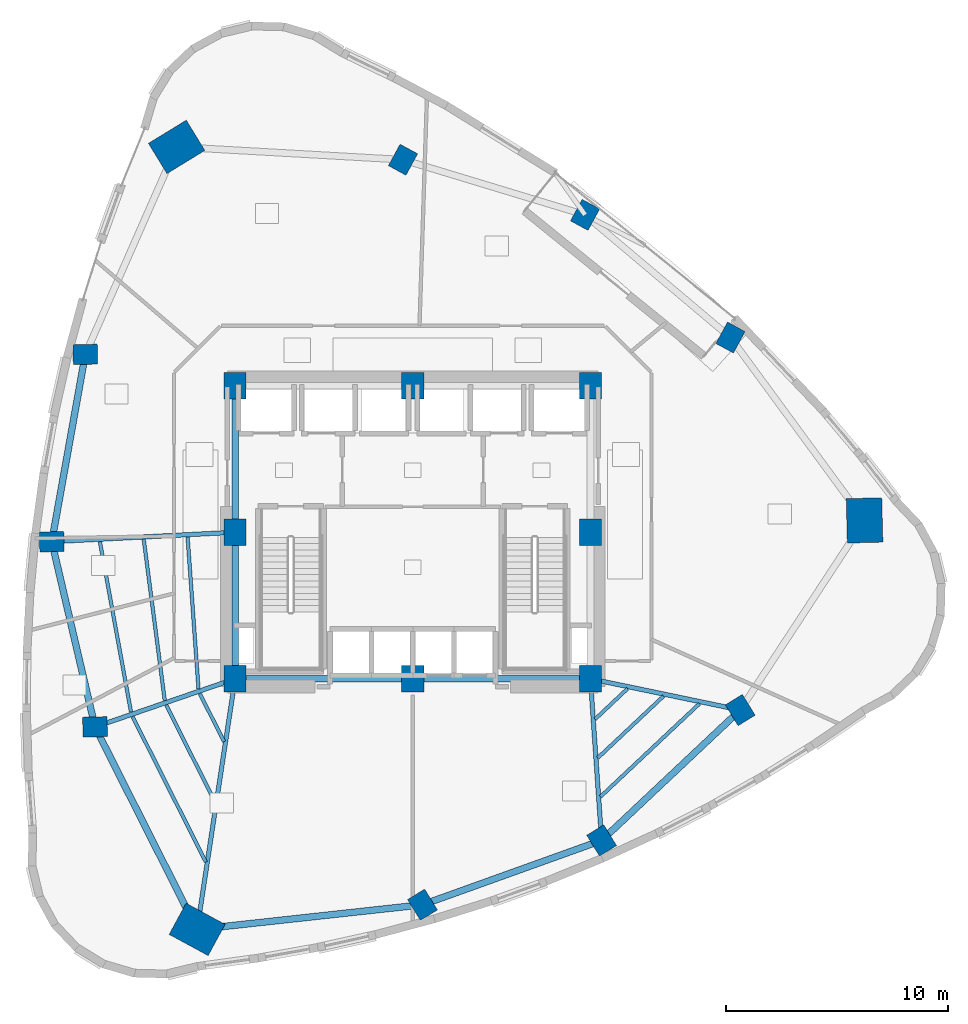
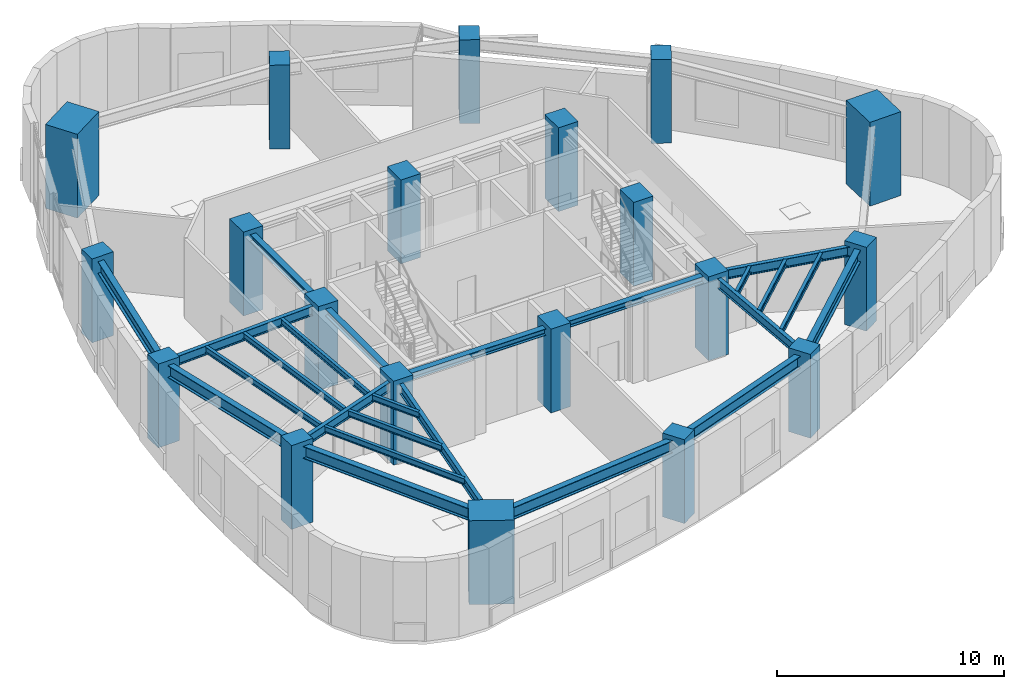
# One storey, part 1 of 16: 24 beams, 20 columns.
"""IFC4 building model written with IfcOpenShell, lengths in metres."""

from ifc_helpers import new_model, si_unit, direction, frame, origin, origin_2d, place, context, subcontext, project, spatial, rectangle, i_section, extrude, material, material_profile, profile_set, type_object, element, save


model = new_model("IFC4")

# Units and contexts
model_context = context("Model", 3, precision=1e-05, world=origin(), true_north=direction((0.0, 1.0)))
body_context = subcontext(model_context, "Body", "Model", "MODEL_VIEW")
ifc_project = project(units=[si_unit("LENGTHUNIT", "METRE"), si_unit("AREAUNIT", "SQUARE_METRE"), si_unit("VOLUMEUNIT", "CUBIC_METRE"), si_unit("PLANEANGLEUNIT", "RADIAN"), si_unit("MASSUNIT", "GRAM", prefix="KILO")], contexts=[model_context])

# Site, building, storey
site_placement = place(None, origin())
site = spatial("IfcSite", under=ifc_project, at=site_placement, CompositionType="ELEMENT")
building_placement = place(site_placement, origin())
building = spatial("IfcBuilding", under=site, at=building_placement, Name="Ndelora Gate Hotel", CompositionType="ELEMENT")
storey_placement = place(building_placement, frame((0.0, 0.0, 92.75)))
storey = spatial("IfcBuildingStorey", under=building, at=storey_placement, Name="L22", CompositionType="ELEMENT", Elevation=92.75)

# Columns
ifc_material_1 = material(Name="Concrete C60/75", Category="concrete")
ifc_material_profile_1 = material_profile(ifc_material_1, rectangle(XDim=1.0, YDim=1.199951171875, at=origin_2d()), Name="RC 1200x1000")
ifc_profile_set_1 = profile_set([ifc_material_profile_1], Name="Concrete C60/75")
column_type_1 = type_object("IfcColumnType", Name="COL-CC-MID", PredefinedType="COLUMN", material=ifc_profile_set_1)
for number, where, z_axis, x_axis, name in (
    (1, (-8.0, -6.60009765625, 0.0), (0.0, 0.0, 1.0), (1.0, 0.0, 0.0), "L22 Core Column CC1"),
    (2, (0.0, -6.60009765625, 0.0), (0.0, 0.0, 1.0), (1.0, 0.0, 0.0), "L22 Core Column CC2"),
    (3, (8.0, -6.60009765625, 0.0), (0.0, 0.0, 1.0), (1.0, 0.0, 0.0), "L22 Core Column CC3"),
    (4, (8.0, 0.0, 0.0), (0.0, 0.0, 1.0), (1.0, 0.0, 0.0), "L22 Core Column CC4"),
    (5, (8.0, 6.60009765625, 0.0), (0.0, 0.0, 1.0), (1.0, 0.0, 0.0), "L22 Core Column CC5"),
    (6, (0.0, 6.60009765625, 0.0), (0.0, 0.0, 1.0), (1.0, 0.0, 0.0), "L22 Core Column CC6"),
    (7, (-8.0, 6.60009765625, 0.0), (0.0, 0.0, 1.0), (1.0, 0.0, 0.0), "L22 Core Column CC7"),
    (8, (-8.0, 0.0, 0.0), (0.0, 0.0, 1.0), (1.0, 0.0, 0.0), "L22 Core Column CC8"),
):
    element("IfcColumn", number, at=place(storey_placement, frame(where, z_axis=z_axis, x_axis=x_axis)), inside=storey, type_object=column_type_1, Name=name, PredefinedType="COLUMN", context=body_context, shape_type="SweptSolid", body=[
        extrude(rectangle(XDim=1.0, YDim=1.199951171875, at=origin_2d()), origin(), (0.0, 0.0, 1.0), 4.5),
    ])
ifc_material_profile_2 = material_profile(ifc_material_1, rectangle(XDim=1.60009765625, YDim=2.0, at=origin_2d()), Name="RC 2000x1600")
ifc_profile_set_2 = profile_set([ifc_material_profile_2], Name="Concrete C60/75")
column_type_2 = type_object("IfcColumnType", Name="COL-MC-Z2", PredefinedType="COLUMN", material=ifc_profile_set_2)
for number, where, z_axis, x_axis, name in (
    (9, (-10.63330078125, 17.351806640625, 0.0), (0.0, 0.0, 1.0), (-0.522498564716, 0.852640164354, 0.0), "L22 Corner Mega-Column R1"),
    (10, (-9.71044921875, -17.884521484375, 0.0), (0.0, 0.0, 1.0), (0.47715876026, 0.878817112662, 0.0), "L22 Corner Mega-Column R5"),
    (11, (20.34375, 0.53271484375, 0.0), (0.0, 0.0, 1.0), (0.999657324976, 0.026176948308, 0.0), "L22 Corner Mega-Column R9"),
):
    element("IfcColumn", number, at=place(storey_placement, frame(where, z_axis=z_axis, x_axis=x_axis)), inside=storey, type_object=column_type_2, Name=name, PredefinedType="COLUMN", context=body_context, shape_type="SweptSolid", body=[
        extrude(rectangle(XDim=1.60009765625, YDim=2.0, at=origin_2d()), origin(), (0.0, 0.0, 1.0), 4.5),
    ])
ifc_material_profile_3 = material_profile(ifc_material_1, rectangle(XDim=0.89990234375, YDim=1.10009765625, at=origin_2d()), Name="RC 1100x900")
ifc_profile_set_3 = profile_set([ifc_material_profile_3], Name="Concrete C60/75")
column_type_3 = type_object("IfcColumnType", Name="COL-PT-Z2", PredefinedType="COLUMN", material=ifc_profile_set_3)
for number, where, z_axis, x_axis, name in (
    (12, (-14.74658203125, 8.006591796875, 0.0), (0.0, 0.0, 1.0), (-0.026176948308, 0.999657324976, 0.0), "L22 Perimeter Tube Column R2"),
    (13, (-16.25537109375, -0.42578125, 0.0), (0.0, 0.0, 1.0), (-0.026176948308, 0.999657324976, 0.0), "L22 Perimeter Tube Column R3"),
    (14, (-14.307373046875, -8.767578125, 0.0), (0.0, 0.0, 1.0), (-0.026176948308, 0.999657324976, 0.0), "L22 Perimeter Tube Column R4"),
    (15, (0.439208984375, -16.7744140625, 0.0), (0.0, 0.0, 1.0), (0.852640164354, 0.522498564716, 0.0), "L22 Perimeter Tube Column R6"),
    (16, (8.50439453125, -13.878173828125, 0.0), (0.0, 0.0, 1.0), (0.852640164354, 0.522498564716, 0.0), "L22 Perimeter Tube Column R7"),
    (17, (14.74658203125, -8.006591796875, 0.0), (0.0, 0.0, 1.0), (0.852640164354, 0.522498564716, 0.0), "L22 Perimeter Tube Column R8"),
    (18, (14.30712890625, 8.767333984375, 0.0), (0.0, 0.0, 1.0), (-0.878817112662, 0.47715876026, 0.0), "L22 Perimeter Tube Column R10"),
    (19, (7.759033203125, 14.290283203125, 0.0), (0.0, 0.0, 1.0), (-0.878817112662, 0.47715876026, 0.0), "L22 Perimeter Tube Column R11"),
    (20, (-0.439208984375, 16.7744140625, 0.0), (0.0, 0.0, 1.0), (-0.878817112662, 0.47715876026, 0.0), "L22 Perimeter Tube Column R12"),
):
    element("IfcColumn", number, at=place(storey_placement, frame(where, z_axis=z_axis, x_axis=x_axis)), inside=storey, type_object=column_type_3, Name=name, PredefinedType="COLUMN", context=body_context, shape_type="SweptSolid", body=[
        extrude(rectangle(XDim=0.89990234375, YDim=1.10009765625, at=origin_2d()), origin(), (0.0, 0.0, 1.0), 4.5),
    ])

# Beams
ifc_material_2 = material(Name="Steel S355", Category="steel")
ifc_material_profile_4 = material_profile(ifc_material_2, i_section(OverallWidth=0.300048828125, OverallDepth=0.360107421875, WebThickness=0.012451171875, FlangeThickness=0.0224609375, FilletRadius=0.027099609375, at=origin_2d()), Name="HEB 360")
ifc_profile_set_4 = profile_set([ifc_material_profile_4], Name="Steel S355")
beam_type_1 = type_object("IfcBeamType", Name="BM-CORE-360", PredefinedType="BEAM", material=ifc_profile_set_4)
for number, where, z_axis, x_axis, name in (
    (21, (-8.0, -6.60009765625, 4.070068359375), (0.0, 1.0, 0.0), (-1.0, 0.0, 0.0), "L22 Core Tie Girder CC1-CC8"),
    (22, (-8.0, 0.0, 4.070068359375), (0.0, 1.0, 0.0), (-1.0, 0.0, 0.0), "L22 Core Tie Girder CC8-CC7"),
):
    element("IfcBeam", number, at=place(storey_placement, frame(where, z_axis=z_axis, x_axis=x_axis)), inside=storey, type_object=beam_type_1, Name=name, PredefinedType="BEAM", context=body_context, shape_type="SweptSolid", body=[
        extrude(i_section(OverallWidth=0.300048828125, OverallDepth=0.360107421875, WebThickness=0.012451171875, FlangeThickness=0.0224609375, FilletRadius=0.027099609375, at=origin_2d()), origin(), (0.0, 0.0, 1.0), 6.60009765625),
    ])
for number, where, z_axis, x_axis, name in (
    (23, (-8.0, -6.60009765625, 4.070068359375), (1.0, 0.0, 0.0), (0.0, 1.0, 0.0), "L22 Core Tie Girder CC1-CC2"),
    (24, (0.0, -6.60009765625, 4.070068359375), (1.0, 0.0, 0.0), (0.0, 1.0, 0.0), "L22 Core Tie Girder CC2-CC3"),
):
    element("IfcBeam", number, at=place(storey_placement, frame(where, z_axis=z_axis, x_axis=x_axis)), inside=storey, type_object=beam_type_1, Name=name, PredefinedType="BEAM", context=body_context, shape_type="SweptSolid", body=[
        extrude(i_section(OverallWidth=0.300048828125, OverallDepth=0.360107421875, WebThickness=0.012451171875, FlangeThickness=0.0224609375, FilletRadius=0.027099609375, at=origin_2d()), origin(), (0.0, 0.0, 1.0), 8.0),
    ])
ifc_material_profile_5 = material_profile(ifc_material_2, i_section(OverallWidth=0.159912109375, OverallDepth=0.330078125, WebThickness=0.007568359375, FlangeThickness=0.011474609375, FilletRadius=0.01806640625, at=origin_2d()), Name="IPE 330")
ifc_profile_set_5 = profile_set([ifc_material_profile_5], Name="Steel S355")
beam_type_2 = type_object("IfcBeamType", Name="BM-JST-330", PredefinedType="JOIST", material=ifc_profile_set_5)
beam_1_placement = place(storey_placement, frame((-10.138427734375, -0.220458984375, 4.0849609375), z_axis=(0.07162945927, -0.997431311201, 0.0), x_axis=(0.997431311201, 0.07162945927, 0.0)))
element("IfcBeam", 25, at=beam_1_placement, inside=storey, type_object=beam_type_2, Name="L22 Secondary Composite Floor Joist IN-3", PredefinedType="JOIST", context=body_context, shape_type="SweptSolid", body=[
    extrude(i_section(OverallWidth=0.159912109375, OverallDepth=0.330078125, WebThickness=0.007568359375, FlangeThickness=0.011474609375, FilletRadius=0.01806640625, at=origin_2d()), origin(), (0.0, 0.0, 1.0), 6.850830078125),
])
beam_2_placement = place(storey_placement, frame((-12.113525390625, -0.322021484375, 4.0849609375), z_axis=(0.12927924943, -0.991608226906, 0.0), x_axis=(0.991608226906, 0.12927924943, 0.0)))
element("IfcBeam", 26, at=beam_2_placement, inside=storey, type_object=beam_type_2, Name="L22 Secondary Composite Floor Joist MID-3", PredefinedType="JOIST", context=body_context, shape_type="SweptSolid", body=[
    extrude(i_section(OverallWidth=0.159912109375, OverallDepth=0.330078125, WebThickness=0.007568359375, FlangeThickness=0.011474609375, FilletRadius=0.01806640625, at=origin_2d()), origin(), (0.0, 0.0, 1.0), 7.31396484375),
])
beam_3_placement = place(storey_placement, frame((-14.089111328125, -0.423095703125, 4.0849609375), z_axis=(0.179733770179, -0.983715290039, 0.0), x_axis=(0.983715290039, 0.179733770179, 0.0)))
element("IfcBeam", 27, at=beam_3_placement, inside=storey, type_object=beam_type_2, Name="L22 Secondary Composite Floor Joist OUT-3", PredefinedType="JOIST", context=body_context, shape_type="SweptSolid", body=[
    extrude(i_section(OverallWidth=0.159912109375, OverallDepth=0.330078125, WebThickness=0.007568359375, FlangeThickness=0.011474609375, FilletRadius=0.01806640625, at=origin_2d()), origin(), (0.0, 0.0, 1.0), 7.799560546875),
])
beam_4_placement = place(storey_placement, frame((-9.59033203125, -7.26171875, 4.0849609375), z_axis=(0.450139260243, -0.892958367668, 0.0), x_axis=(0.892958367668, 0.450139260243, 0.0)))
element("IfcBeam", 28, at=beam_4_placement, inside=storey, type_object=beam_type_2, Name="L22 Secondary Composite Floor Joist IN-4", PredefinedType="JOIST", context=body_context, shape_type="SweptSolid", body=[
    extrude(i_section(OverallWidth=0.159912109375, OverallDepth=0.330078125, WebThickness=0.007568359375, FlangeThickness=0.011474609375, FilletRadius=0.01806640625, at=origin_2d()), origin(), (0.0, 0.0, 1.0), 2.4345703125),
])
beam_5_placement = place(storey_placement, frame((-11.10400390625, -7.781982421875, 4.0849609375), z_axis=(0.450189724408, -0.892932926953, 0.0), x_axis=(0.892932926953, 0.450189724408, 0.0)))
element("IfcBeam", 29, at=beam_5_placement, inside=storey, type_object=beam_type_2, Name="L22 Secondary Composite Floor Joist MID-4", PredefinedType="JOIST", context=body_context, shape_type="SweptSolid", body=[
    extrude(i_section(OverallWidth=0.159912109375, OverallDepth=0.330078125, WebThickness=0.007568359375, FlangeThickness=0.011474609375, FilletRadius=0.01806640625, at=origin_2d()), origin(), (0.0, 0.0, 1.0), 4.885009765625),
])
beam_6_placement = place(storey_placement, frame((-12.617919921875, -8.30224609375, 4.0849609375), z_axis=(0.45023300903, -0.892911102843, 0.0), x_axis=(0.892911102843, 0.45023300903, 0.0)))
element("IfcBeam", 30, at=beam_6_placement, inside=storey, type_object=beam_type_2, Name="L22 Secondary Composite Floor Joist OUT-4", PredefinedType="JOIST", context=body_context, shape_type="SweptSolid", body=[
    extrude(i_section(OverallWidth=0.159912109375, OverallDepth=0.330078125, WebThickness=0.007568359375, FlangeThickness=0.011474609375, FilletRadius=0.01806640625, at=origin_2d()), origin(), (0.0, 0.0, 1.0), 7.335693359375),
])
beam_7_placement = place(storey_placement, frame((8.211181640625, -8.4169921875, 4.0849609375), z_axis=(0.728414088998, 0.685137150466, 0.0), x_axis=(-0.685137150466, 0.728414088998, 0.0)))
element("IfcBeam", 31, at=beam_7_placement, inside=storey, type_object=beam_type_2, Name="L22 Secondary Composite Floor Joist IN-7", PredefinedType="JOIST", context=body_context, shape_type="SweptSolid", body=[
    extrude(i_section(OverallWidth=0.159912109375, OverallDepth=0.330078125, WebThickness=0.007568359375, FlangeThickness=0.011474609375, FilletRadius=0.01806640625, at=origin_2d()), origin(), (0.0, 0.0, 1.0), 2.00830078125),
])
beam_8_placement = place(storey_placement, frame((8.33251953125, -10.163818359375, 4.0849609375), z_axis=(0.728369245526, 0.685184823366, 0.0), x_axis=(-0.685184823366, 0.728369245526, 0.0)))
element("IfcBeam", 32, at=beam_8_placement, inside=storey, type_object=beam_type_2, Name="L22 Secondary Composite Floor Joist MID-7", PredefinedType="JOIST", context=body_context, shape_type="SweptSolid", body=[
    extrude(i_section(OverallWidth=0.159912109375, OverallDepth=0.330078125, WebThickness=0.007568359375, FlangeThickness=0.011474609375, FilletRadius=0.01806640625, at=origin_2d()), origin(), (0.0, 0.0, 1.0), 4.06494140625),
])
beam_9_placement = place(storey_placement, frame((8.45361328125, -11.910400390625, 4.0849609375), z_axis=(0.728393161111, 0.68515939959, 0.0), x_axis=(-0.68515939959, 0.728393161111, 0.0)))
element("IfcBeam", 33, at=beam_9_placement, inside=storey, type_object=beam_type_2, Name="L22 Secondary Composite Floor Joist OUT-7", PredefinedType="JOIST", context=body_context, shape_type="SweptSolid", body=[
    extrude(i_section(OverallWidth=0.159912109375, OverallDepth=0.330078125, WebThickness=0.007568359375, FlangeThickness=0.011474609375, FilletRadius=0.01806640625, at=origin_2d()), origin(), (0.0, 0.0, 1.0), 6.121337890625),
])
ifc_material_profile_6 = material_profile(ifc_material_2, i_section(OverallWidth=0.199951171875, OverallDepth=0.5, WebThickness=0.01025390625, FlangeThickness=0.01611328125, FilletRadius=0.02099609375, at=origin_2d()), Name="IPE 500")
ifc_profile_set_6 = profile_set([ifc_material_profile_6], Name="Steel S355")
beam_type_3 = type_object("IfcBeamType", Name="BM-RAD-500", PredefinedType="BEAM", material=ifc_profile_set_6)
beam_10_placement = place(storey_placement, frame((-8.0, 0.0, 4.0), z_axis=(-0.998672591881, -0.051507807424, 0.0), x_axis=(0.051507807424, -0.998672591881, 0.0)))
element("IfcBeam", 34, at=beam_10_placement, inside=storey, type_object=beam_type_3, Name="L22 Radial Floor Girder 3", PredefinedType="BEAM", context=body_context, shape_type="SweptSolid", body=[
    extrude(i_section(OverallWidth=0.199951171875, OverallDepth=0.5, WebThickness=0.01025390625, FlangeThickness=0.01611328125, FilletRadius=0.02099609375, at=origin_2d()), origin(), (0.0, 0.0, 1.0), 8.266357421875),
])
beam_11_placement = place(storey_placement, frame((-8.0, -6.60009765625, 4.0), z_axis=(-0.945717893913, -0.324988715392, 0.0), x_axis=(0.324988715392, -0.945717893913, 0.0)))
element("IfcBeam", 35, at=beam_11_placement, inside=storey, type_object=beam_type_3, Name="L22 Radial Floor Girder 4", PredefinedType="BEAM", context=body_context, shape_type="SweptSolid", body=[
    extrude(i_section(OverallWidth=0.199951171875, OverallDepth=0.5, WebThickness=0.01025390625, FlangeThickness=0.01611328125, FilletRadius=0.02099609375, at=origin_2d()), origin(), (0.0, 0.0, 1.0), 6.66943359375),
])
beam_12_placement = place(storey_placement, frame((-8.0, -6.60009765625, 4.0), z_axis=(-0.149864309615, -0.988706573612, 0.0), x_axis=(0.988706573612, -0.149864309615, 0.0)))
element("IfcBeam", 36, at=beam_12_placement, inside=storey, type_object=beam_type_3, Name="L22 Radial Floor Girder 5", PredefinedType="BEAM", context=body_context, shape_type="SweptSolid", body=[
    extrude(i_section(OverallWidth=0.199951171875, OverallDepth=0.5, WebThickness=0.01025390625, FlangeThickness=0.01611328125, FilletRadius=0.02099609375, at=origin_2d()), origin(), (0.0, 0.0, 1.0), 11.413330078125),
])
beam_13_placement = place(storey_placement, frame((8.0, -6.60009765625, 4.0), z_axis=(0.069137444551, -0.997607144001, 0.0), x_axis=(0.997607144001, 0.069137444551, 0.0)))
element("IfcBeam", 37, at=beam_13_placement, inside=storey, type_object=beam_type_3, Name="L22 Radial Floor Girder 7", PredefinedType="BEAM", context=body_context, shape_type="SweptSolid", body=[
    extrude(i_section(OverallWidth=0.199951171875, OverallDepth=0.5, WebThickness=0.01025390625, FlangeThickness=0.01611328125, FilletRadius=0.02099609375, at=origin_2d()), origin(), (0.0, 0.0, 1.0), 7.295654296875),
])
beam_14_placement = place(storey_placement, frame((8.0, -6.60009765625, 4.0), z_axis=(0.978952706778, -0.204087231083, 0.0), x_axis=(0.204087231083, 0.978952706778, 0.0)))
element("IfcBeam", 38, at=beam_14_placement, inside=storey, type_object=beam_type_3, Name="L22 Radial Floor Girder 8", PredefinedType="BEAM", context=body_context, shape_type="SweptSolid", body=[
    extrude(i_section(OverallWidth=0.199951171875, OverallDepth=0.5, WebThickness=0.01025390625, FlangeThickness=0.01611328125, FilletRadius=0.02099609375, at=origin_2d()), origin(), (0.0, 0.0, 1.0), 6.8916015625),
])
ifc_material_profile_7 = material_profile(ifc_material_2, i_section(OverallWidth=0.300048828125, OverallDepth=0.64990234375, WebThickness=0.01611328125, FlangeThickness=0.031005859375, FilletRadius=0.027099609375, at=origin_2d()), Name="HEB 650")
ifc_profile_set_7 = profile_set([ifc_material_profile_7], Name="Steel S355")
beam_type_4 = type_object("IfcBeamType", Name="BM-RING-650", PredefinedType="SPANDREL", material=ifc_profile_set_7)
beam_15_placement = place(storey_placement, frame((-14.74658203125, 8.006591796875, 3.925048828125), z_axis=(-0.176130938817, -0.984366746894, 0.0), x_axis=(0.984366746894, -0.176130938817, 0.0)))
element("IfcBeam", 39, at=beam_15_placement, inside=storey, type_object=beam_type_4, Name="L22 Perimeter Spandrel Girder 2", PredefinedType="SPANDREL", context=body_context, shape_type="SweptSolid", body=[
    extrude(i_section(OverallWidth=0.300048828125, OverallDepth=0.64990234375, WebThickness=0.01611328125, FlangeThickness=0.031005859375, FilletRadius=0.027099609375, at=origin_2d()), origin(), (0.0, 0.0, 1.0), 8.56640625),
])
beam_16_placement = place(storey_placement, frame((-16.25537109375, -0.42578125, 3.925048828125), z_axis=(0.227404398157, -0.973800410607, 0.0), x_axis=(0.973800410607, 0.227404398157, 0.0)))
element("IfcBeam", 40, at=beam_16_placement, inside=storey, type_object=beam_type_4, Name="L22 Perimeter Spandrel Girder 3", PredefinedType="SPANDREL", context=body_context, shape_type="SweptSolid", body=[
    extrude(i_section(OverallWidth=0.300048828125, OverallDepth=0.64990234375, WebThickness=0.01611328125, FlangeThickness=0.031005859375, FilletRadius=0.027099609375, at=origin_2d()), origin(), (0.0, 0.0, 1.0), 8.566162109375),
])
for number, where, z_axis, x_axis, name in (
    (41, (-14.307373046875, -8.767578125, 3.925048828125), (0.450223868811, -0.892915711561, 0.0), (0.892915711561, 0.450223868811, 0.0), "L22 Perimeter Spandrel Girder 4"),
    (42, (-9.71044921875, -17.884521484375, 3.925048828125), (0.994071812898, 0.108725483685, 0.0), (-0.108725483685, 0.994071812898, 0.0), "L22 Perimeter Spandrel Girder 5"),
):
    element("IfcBeam", number, at=place(storey_placement, frame(where, z_axis=z_axis, x_axis=x_axis)), inside=storey, type_object=beam_type_4, Name=name, PredefinedType="SPANDREL", context=body_context, shape_type="SweptSolid", body=[
        extrude(i_section(OverallWidth=0.300048828125, OverallDepth=0.64990234375, WebThickness=0.01611328125, FlangeThickness=0.031005859375, FilletRadius=0.027099609375, at=origin_2d()), origin(), (0.0, 0.0, 1.0), 10.210205078125),
    ])
beam_17_placement = place(storey_placement, frame((0.439208984375, -16.7744140625, 3.925048828125), z_axis=(0.941155870835, 0.337972819607, 0.0), x_axis=(-0.337972819607, 0.941155870835, 0.0)))
element("IfcBeam", 43, at=beam_17_placement, inside=storey, type_object=beam_type_4, Name="L22 Perimeter Spandrel Girder 6", PredefinedType="SPANDREL", context=body_context, shape_type="SweptSolid", body=[
    extrude(i_section(OverallWidth=0.300048828125, OverallDepth=0.64990234375, WebThickness=0.01611328125, FlangeThickness=0.031005859375, FilletRadius=0.027099609375, at=origin_2d()), origin(), (0.0, 0.0, 1.0), 8.5693359375),
])
beam_18_placement = place(storey_placement, frame((8.50439453125, -13.878173828125, 3.925048828125), z_axis=(0.728399016952, 0.68515317419, 0.0), x_axis=(-0.68515317419, 0.728399016952, 0.0)))
element("IfcBeam", 44, at=beam_18_placement, inside=storey, type_object=beam_type_4, Name="L22 Perimeter Spandrel Girder 7", PredefinedType="SPANDREL", context=body_context, shape_type="SweptSolid", body=[
    extrude(i_section(OverallWidth=0.300048828125, OverallDepth=0.64990234375, WebThickness=0.01611328125, FlangeThickness=0.031005859375, FilletRadius=0.027099609375, at=origin_2d()), origin(), (0.0, 0.0, 1.0), 8.56982421875),
])

save(model, "model.ifc")
